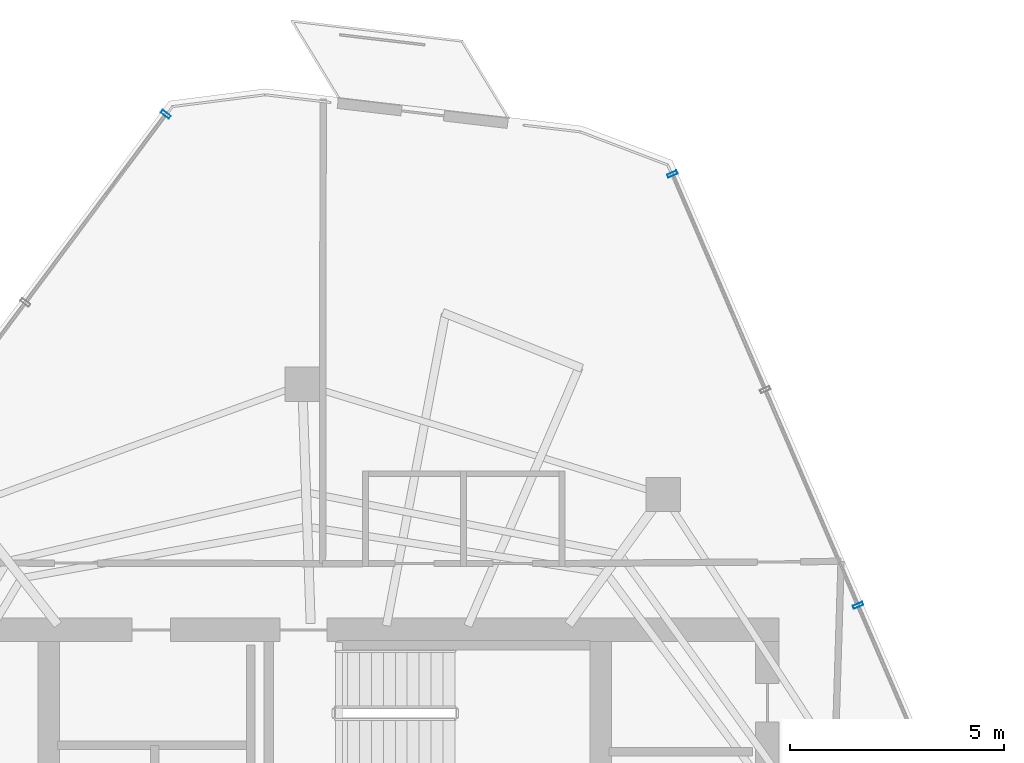
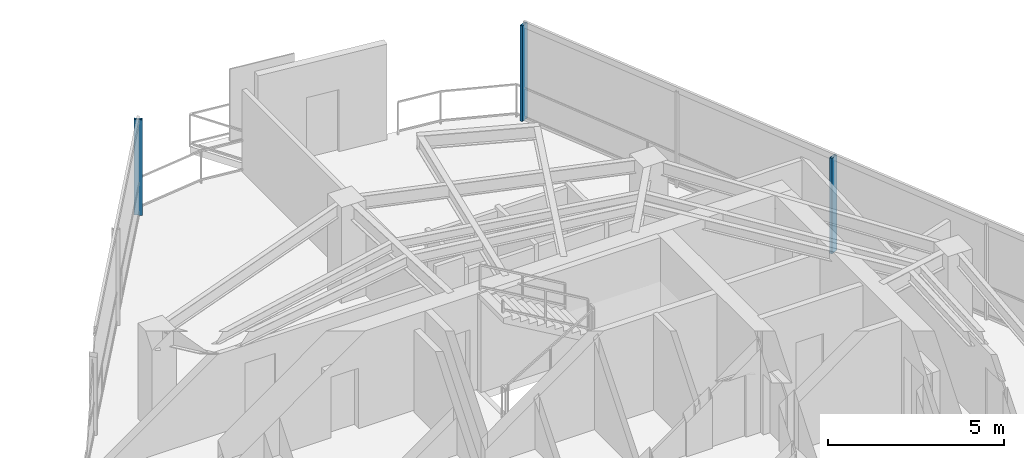
# One storey, part 12 of 18: 3 members, 2 elements without a shape of their own.
"""IFC4 building model written with IfcOpenShell, lengths in metres."""

from ifc_helpers import new_model, si_unit, direction, frame, origin, origin_2d, place, context, subcontext, project, spatial, hollow_rectangle, extrude, material, layer, layer_set, material_profile, profile_set, type_object, element, aggregate, save


model = new_model("IFC4")

# Units and contexts
model_context = context("Model", 3, precision=1e-05, world=origin(), true_north=direction((0.0, 1.0)))
body_context = subcontext(model_context, "Body", "Model", "MODEL_VIEW")
ifc_project = project(units=[si_unit("LENGTHUNIT", "METRE"), si_unit("AREAUNIT", "SQUARE_METRE"), si_unit("VOLUMEUNIT", "CUBIC_METRE"), si_unit("PLANEANGLEUNIT", "RADIAN"), si_unit("MASSUNIT", "GRAM", prefix="KILO")], contexts=[model_context])

# Site, building, storey
site_placement = place(None, origin())
site = spatial("IfcSite", under=ifc_project, at=site_placement, CompositionType="ELEMENT")
building_placement = place(site_placement, origin())
building = spatial("IfcBuilding", under=site, at=building_placement, Name="Qarnah Convention Tower", CompositionType="ELEMENT")
storey_placement = place(building_placement, frame((0.0, 0.0, 267.89990234375)))
storey = spatial("IfcBuildingStorey", under=building, at=storey_placement, Name="L72", CompositionType="ELEMENT", Elevation=267.89990234375)

# Curtain wall, members
ifc_material_1 = material(Name="Tempered Low-E dark glass", Category="glass")
ifc_layer = layer(ifc_material_1, 0.176025390625)
ifc_layer_set = layer_set([ifc_layer], Name="Tempered Low-E dark glass")
curtain_wall_type = type_object("IfcCurtainWallType", Name="CWS-05", PredefinedType="NOTDEFINED", material=ifc_layer_set)
curtain_wall_1_placement = place(storey_placement, origin())
curtain_wall_1 = element("IfcCurtainWall", 1, at=curtain_wall_1_placement, inside=storey, type_object=curtain_wall_type, Name="L72 unitised curtain wall CW-L72-F1", PredefinedType="NOTDEFINED")
ifc_material_2 = material(Name="Black anodised aluminium", Category="aluminium")
ifc_material_profile = material_profile(ifc_material_2, hollow_rectangle(XDim=0.080078125, YDim=0.239990234375, WallThickness=0.0048828125, at=origin_2d()), Name="MUL-80X240")
ifc_profile_set = profile_set([ifc_material_profile], Name="Black anodised aluminium")
member_type = type_object("IfcMemberType", Name="MUL-T5", PredefinedType="MULLION", material=ifc_profile_set)
member_1_placement = place(storey_placement, frame((45.3798828125, 44.85595703125, 0.0), z_axis=(0.0, 0.0, 1.0), x_axis=(0.395211974146, -0.918589949592, 0.0)))
member_1 = element("IfcMember", 2, at=member_1_placement, type_object=member_type, Name="CW-L72-F1 mullion 1", PredefinedType="MULLION", context=body_context, shape_type="SweptSolid", body=[
    extrude(hollow_rectangle(XDim=0.080078125, YDim=0.239990234375, WallThickness=0.0048828125, at=origin_2d()), origin(), (0.0, 0.0, 1.0), 3.320068359375),
])
member_2_placement = place(storey_placement, frame((49.718017578125, 34.773193359375, 0.0), z_axis=(0.0, 0.0, 1.0), x_axis=(0.395211974146, -0.918589949592, 0.0)))
member_2 = element("IfcMember", 3, at=member_2_placement, type_object=member_type, Name="CW-L72-F1 mullion 3", PredefinedType="MULLION", context=body_context, shape_type="SweptSolid", body=[
    extrude(hollow_rectangle(XDim=0.080078125, YDim=0.239990234375, WallThickness=0.0048828125, at=origin_2d()), origin(), (0.0, 0.0, 1.0), 3.320068359375),
])
aggregate(curtain_wall_1, [member_1, member_2])

# Curtain wall, member
curtain_wall_2_placement = place(storey_placement, origin())
curtain_wall_2 = element("IfcCurtainWall", 4, at=curtain_wall_2_placement, inside=storey, type_object=curtain_wall_type, Name="L72 unitised curtain wall CW-L72-F2", PredefinedType="NOTDEFINED")
member_3_placement = place(storey_placement, frame((33.533935546875, 46.251953125, 0.0), z_axis=(0.0, 0.0, 1.0), x_axis=(0.597875477778, 0.801588992609, 0.0)))
member_3 = element("IfcMember", 5, at=member_3_placement, type_object=member_type, Name="CW-L72-F2 mullion 6", PredefinedType="MULLION", context=body_context, shape_type="SweptSolid", body=[
    extrude(hollow_rectangle(XDim=0.080078125, YDim=0.239990234375, WallThickness=0.0048828125, at=origin_2d()), origin(), (0.0, 0.0, 1.0), 3.320068359375),
])
aggregate(curtain_wall_2, [member_3])

save(model, "model.ifc")
